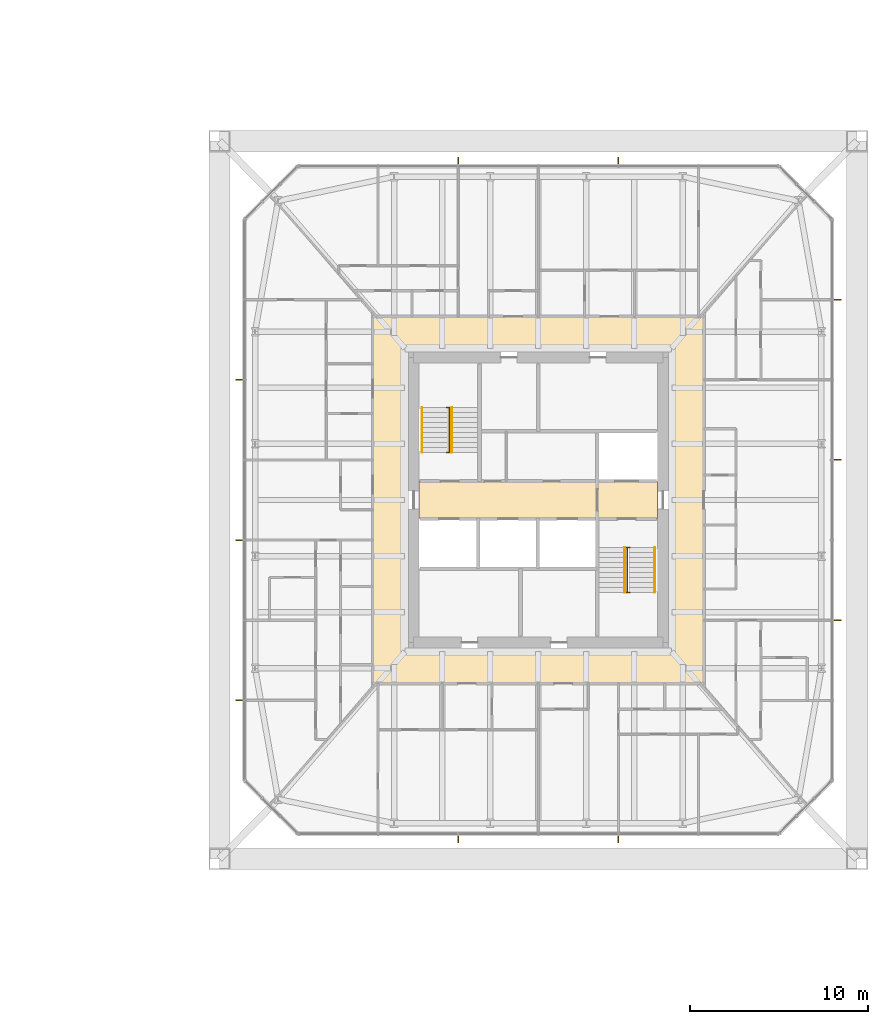
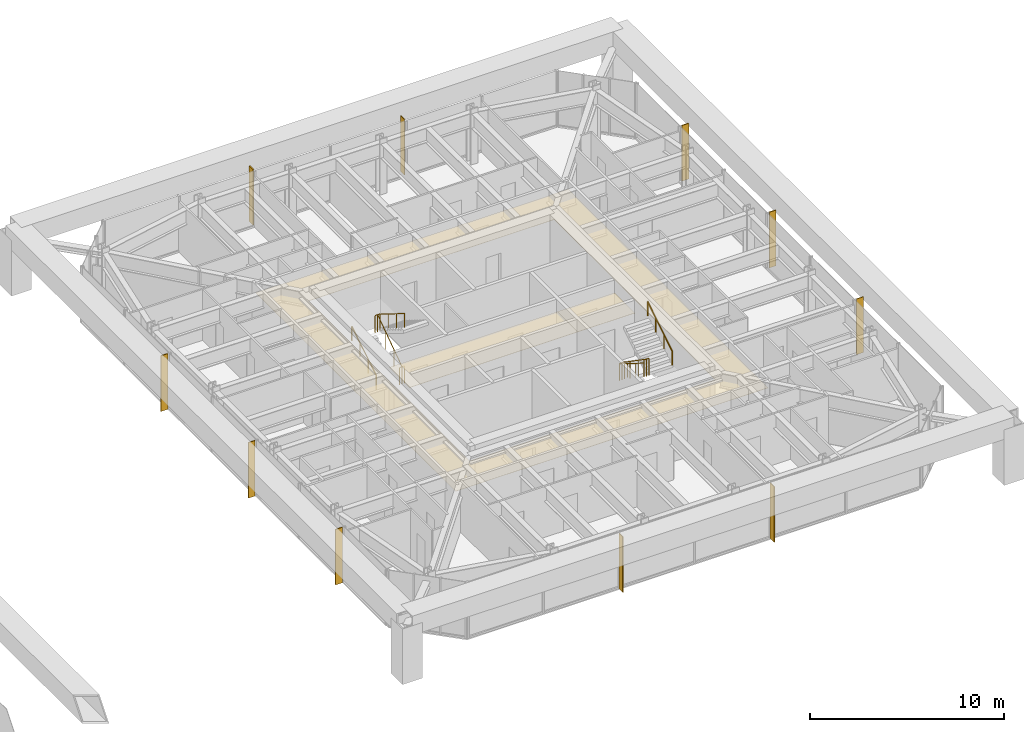
# One storey, part 32 of 32: 10 shading devices, 6 railings, 3 coverings.
"""IFC4 building model written with IfcOpenShell, lengths in metres."""

from ifc_helpers import new_model, si_unit, direction, frame, origin, origin_2d, place, context, subcontext, project, spatial, polyline, rectangle, circle, outline, extrude, material, layer, layer_set, constituent, constituent_set, type_object, element, save


model = new_model("IFC4")

# Units and contexts
model_context = context("Model", 3, precision=1e-05, world=origin(), true_north=direction((0.0, 1.0)))
body_context = subcontext(model_context, "Body", "Model", "MODEL_VIEW")
ifc_project = project(units=[si_unit("LENGTHUNIT", "METRE"), si_unit("AREAUNIT", "SQUARE_METRE"), si_unit("VOLUMEUNIT", "CUBIC_METRE"), si_unit("PLANEANGLEUNIT", "RADIAN"), si_unit("MASSUNIT", "GRAM", prefix="KILO")], contexts=[model_context])

# Site, building, storey
site_placement = place(None, origin())
site = spatial("IfcSite", under=ifc_project, at=site_placement, CompositionType="ELEMENT")
building_placement = place(site_placement, origin())
building = spatial("IfcBuilding", under=site, at=building_placement, Name="Iwan Alto Co-Living Towers", CompositionType="ELEMENT")
storey_placement = place(building_placement, frame((0.0, 0.0, 71.0)))
storey = spatial("IfcBuildingStorey", under=building, at=storey_placement, Name="L19", CompositionType="ELEMENT", Elevation=71.0)

# Coverings
ifc_material_1 = material(Name="Mineral fibre acoustic tiles on steel grid", Category="steel")
ifc_layer_1 = layer(ifc_material_1, 0.02001953125)
ifc_layer_set_1 = layer_set([ifc_layer_1], Name="ACOUSTIC TILE CEILING 20")
covering_type_1 = type_object("IfcCoveringType", Name="ACOUSTIC TILE CEILING 20", PredefinedType="CEILING", material=ifc_layer_set_1)
covering_1_placement = place(storey_placement, frame((0.0, 0.0, 2.60009765625)))
element("IfcCovering", 1, at=covering_1_placement, inside=storey, type_object=covering_type_1, Name="Ceiling Lift lobby L19", PredefinedType="CEILING", context=body_context, shape_type="SweptSolid", body=[
    extrude(outline(polyline([(56.300048828125, -1.050048828125), (56.300048828125, 1.050048828125), (66.300048828125, 1.050048828125), (66.300048828125, -1.050048828125), (56.300048828125, -1.050048828125)])), origin(), (0.0, 0.0, 1.0), 0.02001953125),
])
covering_2_placement = place(storey_placement, frame((0.0, 0.0, 2.60009765625)))
element("IfcCovering", 2, at=covering_2_placement, inside=storey, type_object=covering_type_1, Name="Ceiling Firefighting lobby L19", PredefinedType="CEILING", context=body_context, shape_type="SweptSolid", body=[
    extrude(outline(polyline([(66.300048828125, -1.050048828125), (66.300048828125, 1.050048828125), (69.699951171875, 1.050048828125), (69.699951171875, -1.050048828125), (66.300048828125, -1.050048828125)])), origin(), (0.0, 0.0, 1.0), 0.02001953125),
])

# Shading devices
ifc_material_2 = material(Name="Aluminium 6063-T6 bronze anodised", Category="aluminium")
ifc_layer_2 = layer(ifc_material_2, 0.050048828125)
ifc_layer_set_2 = layer_set([ifc_layer_2], Name="BRONZE FIN 50X400")
shading_device_type = type_object("IfcShadingDeviceType", Name="BRONZE FIN 50X400", PredefinedType="USERDEFINED", material=ifc_layer_set_2)
for number, where, z_axis, x_axis, name in (
    (3, (58.5, -19.050048828125, 0.0), (0.0, 0.0, 1.0), (1.0, 0.0, 0.0), "Bronze fin L19"),
    (4, (67.5, -19.050048828125, 0.0), (0.0, 0.0, 1.0), (1.0, 0.0, 0.0), "Bronze fin L19"),
    (5, (79.800048828125, -6.75, 0.0), (0.0, 0.0, 1.0), (0.0, 1.0, 0.0), "Bronze fin L19"),
    (6, (79.800048828125, 2.25, 0.0), (0.0, 0.0, 1.0), (0.0, 1.0, 0.0), "Bronze fin L19"),
    (7, (79.800048828125, 11.25, 0.0), (0.0, 0.0, 1.0), (0.0, 1.0, 0.0), "Bronze fin L19"),
    (8, (67.5, 19.050048828125, 0.0), (0.0, 0.0, 1.0), (-1.0, 0.0, 0.0), "Bronze fin L19"),
    (9, (58.5, 19.050048828125, 0.0), (0.0, 0.0, 1.0), (-1.0, 0.0, 0.0), "Bronze fin L19"),
    (10, (46.199951171875, 6.75, 0.0), (0.0, 0.0, 1.0), (0.0, -1.0, 0.0), "Bronze fin L19"),
    (11, (46.199951171875, -2.25, 0.0), (0.0, 0.0, 1.0), (0.0, -1.0, 0.0), "Bronze fin L19"),
    (12, (46.199951171875, -11.25, 0.0), (0.0, 0.0, 1.0), (0.0, -1.0, 0.0), "Bronze fin L19"),
):
    element("IfcShadingDevice", number, at=place(storey_placement, frame(where, z_axis=z_axis, x_axis=x_axis)), inside=storey, type_object=shading_device_type, Name=name, ObjectType="LOUVER", PredefinedType="USERDEFINED", context=body_context, shape_type="SweptSolid", body=[
        extrude(rectangle(XDim=0.050048828125, YDim=0.39990234375, at=origin_2d()), origin(), (0.0, 0.0, 1.0), 3.5),
    ])

# Railings
ifc_material_3 = material(Name="Steel ASTM A500 Gr C", Category="steel")
ifc_constituent_1 = constituent(ifc_material_3, Name="Rails and posts", Category="Framing")
ifc_material_4 = material(Name="Steel ASTM A36", Category="steel")
ifc_constituent_2 = constituent(ifc_material_4, Name="Bar infill", Category="Infill")
ifc_constituent_set = constituent_set(constituents=[ifc_constituent_1, ifc_constituent_2], Name="STAIR GUARD 1100")
railing_type_1 = type_object("IfcRailingType", Name="STAIR GUARD 1100", PredefinedType="GUARDRAIL", material=ifc_constituent_set)
railing_1_placement = place(storey_placement, frame((58.0, 2.669921875, 0.0)))
element("IfcRailing", 13, at=railing_1_placement, inside=storey, type_object=railing_type_1, Name="Stair T2-S1 well guard L19", PredefinedType="GUARDRAIL", context=body_context, shape_type="SweptSolid", body=[
    extrude(circle(Radius=0.02392578125, at=origin_2d()), frame((0.0, 0.0, 1.076171875), z_axis=(0.0, 0.821372036852, 0.570392826987), x_axis=(-1.0, 0.0, 0.0)), (0.0, 0.0, 1.0), 3.068115234375),
    extrude(circle(Radius=0.02392578125, at=origin_2d()), frame((-0.14990234375, 0.0, 1.076171875), z_axis=(1.0, 0.0, 0.0), x_axis=(0.0, 1.0, 0.0)), (0.0, 0.0, 1.0), 0.2998046875),
    extrude(circle(Radius=0.02392578125, at=origin_2d()), frame((-0.14990234375, 2.52001953125, 2.826171875), z_axis=(1.0, 0.0, 0.0), x_axis=(0.0, 1.0, 0.0)), (0.0, 0.0, 1.0), 0.2998046875),
    extrude(circle(Radius=0.02099609375, at=origin_2d()), origin(), (0.0, 0.0, 1.0), 1.052001953125),
    extrude(circle(Radius=0.02099609375, at=origin_2d()), frame((0.0, 0.840087890625, 0.583251953125)), (0.0, 0.0, 1.0), 1.052001953125),
    extrude(circle(Radius=0.02099609375, at=origin_2d()), frame((0.0, 1.679931640625, 1.166748046875)), (0.0, 0.0, 1.0), 1.052001953125),
    extrude(circle(Radius=0.02099609375, at=origin_2d()), frame((0.0, 2.52001953125, 1.75)), (0.0, 0.0, 1.0), 1.052001953125),
    extrude(circle(Radius=0.02099609375, at=origin_2d()), frame((-0.14990234375, 0.0, 0.0)), (0.0, 0.0, 1.0), 1.052001953125),
    extrude(circle(Radius=0.02099609375, at=origin_2d()), frame((0.14990234375, 0.0, 0.0)), (0.0, 0.0, 1.0), 1.052001953125),
    extrude(circle(Radius=0.02099609375, at=origin_2d()), frame((-0.14990234375, 2.52001953125, 1.75)), (0.0, 0.0, 1.0), 1.052001953125),
    extrude(circle(Radius=0.02099609375, at=origin_2d()), frame((0.14990234375, 2.52001953125, 1.75)), (0.0, 0.0, 1.0), 1.052001953125),
])
railing_2_placement = place(storey_placement, frame((68.0, -2.669921875, 0.0)))
element("IfcRailing", 14, at=railing_2_placement, inside=storey, type_object=railing_type_1, Name="Stair T2-S2 well guard L19", PredefinedType="GUARDRAIL", context=body_context, shape_type="SweptSolid", body=[
    extrude(circle(Radius=0.02392578125, at=origin_2d()), frame((0.0, 0.0, 1.076171875), z_axis=(0.0, -0.821372036852, 0.570392826987), x_axis=(1.0, 0.0, 0.0)), (0.0, 0.0, 1.0), 3.068115234375),
    extrude(circle(Radius=0.02392578125, at=origin_2d()), frame((-0.14990234375, 0.0, 1.076171875), z_axis=(1.0, 0.0, 0.0), x_axis=(0.0, 1.0, 0.0)), (0.0, 0.0, 1.0), 0.2998046875),
    extrude(circle(Radius=0.02392578125, at=origin_2d()), frame((-0.14990234375, -2.52001953125, 2.826171875), z_axis=(1.0, 0.0, 0.0), x_axis=(0.0, 1.0, 0.0)), (0.0, 0.0, 1.0), 0.2998046875),
    extrude(circle(Radius=0.02099609375, at=origin_2d()), origin(), (0.0, 0.0, 1.0), 1.052001953125),
    extrude(circle(Radius=0.02099609375, at=origin_2d()), frame((0.0, -0.840087890625, 0.583251953125)), (0.0, 0.0, 1.0), 1.052001953125),
    extrude(circle(Radius=0.02099609375, at=origin_2d()), frame((0.0, -1.679931640625, 1.166748046875)), (0.0, 0.0, 1.0), 1.052001953125),
    extrude(circle(Radius=0.02099609375, at=origin_2d()), frame((0.0, -2.52001953125, 1.75)), (0.0, 0.0, 1.0), 1.052001953125),
    extrude(circle(Radius=0.02099609375, at=origin_2d()), frame((-0.14990234375, 0.0, 0.0)), (0.0, 0.0, 1.0), 1.052001953125),
    extrude(circle(Radius=0.02099609375, at=origin_2d()), frame((0.14990234375, 0.0, 0.0)), (0.0, 0.0, 1.0), 1.052001953125),
    extrude(circle(Radius=0.02099609375, at=origin_2d()), frame((-0.14990234375, -2.52001953125, 1.75)), (0.0, 0.0, 1.0), 1.052001953125),
    extrude(circle(Radius=0.02099609375, at=origin_2d()), frame((0.14990234375, -2.52001953125, 1.75)), (0.0, 0.0, 1.0), 1.052001953125),
])
ifc_material_5 = material(Name="Steel ASTM A500 Gr C", Category="steel")
railing_type_2 = type_object("IfcRailingType", Name="STAIR HANDRAIL 900", PredefinedType="HANDRAIL", material=ifc_material_5)
railing_3_placement = place(storey_placement, frame((56.469970703125, 2.669921875, 0.175048828125)))
element("IfcRailing", 15, at=railing_3_placement, inside=storey, type_object=railing_type_2, Name="Stair T2-S1 handrail 1 L19", PredefinedType="HANDRAIL", context=body_context, shape_type="SweptSolid", body=[
    extrude(circle(Radius=0.02392578125, at=origin_2d()), frame((0.0, 0.0, 0.8759765625), z_axis=(0.0, 0.848007534815, 0.529984170421), x_axis=(-1.0, 0.0, 0.0)), (0.0, 0.0, 1.0), 2.9716796875),
    extrude(circle(Radius=0.02099609375, at=origin_2d()), origin(), (0.0, 0.0, 1.0), 0.851806640625),
    extrude(circle(Radius=0.02099609375, at=origin_2d()), frame((0.0, 0.840087890625, 0.52490234375)), (0.0, 0.0, 1.0), 0.851806640625),
    extrude(circle(Radius=0.02099609375, at=origin_2d()), frame((0.0, 1.679931640625, 1.050048828125)), (0.0, 0.0, 1.0), 0.851806640625),
    extrude(circle(Radius=0.02099609375, at=origin_2d()), frame((0.0, 2.52001953125, 1.574951171875)), (0.0, 0.0, 1.0), 0.851806640625),
])
for number, where, name in (
    (16, (58.14990234375, 5.18994140625, 1.925048828125), "Stair T2-S1 handrail 2 L19"),
    (17, (67.85009765625, -2.669921875, 0.175048828125), "Stair T2-S2 handrail 1 L19"),
):
    element("IfcRailing", number, at=place(storey_placement, frame(where)), inside=storey, type_object=railing_type_2, Name=name, PredefinedType="HANDRAIL", context=body_context, shape_type="SweptSolid", body=[
        extrude(circle(Radius=0.02392578125, at=origin_2d()), frame((0.0, 0.0, 0.8759765625), z_axis=(0.0, -0.848007534815, 0.529984170421), x_axis=(1.0, 0.0, 0.0)), (0.0, 0.0, 1.0), 2.9716796875),
        extrude(circle(Radius=0.02099609375, at=origin_2d()), origin(), (0.0, 0.0, 1.0), 0.851806640625),
        extrude(circle(Radius=0.02099609375, at=origin_2d()), frame((0.0, -0.840087890625, 0.52490234375)), (0.0, 0.0, 1.0), 0.851806640625),
        extrude(circle(Radius=0.02099609375, at=origin_2d()), frame((0.0, -1.679931640625, 1.050048828125)), (0.0, 0.0, 1.0), 0.851806640625),
        extrude(circle(Radius=0.02099609375, at=origin_2d()), frame((0.0, -2.52001953125, 1.574951171875)), (0.0, 0.0, 1.0), 0.851806640625),
    ])
railing_4_placement = place(storey_placement, frame((69.530029296875, -5.18994140625, 1.925048828125)))
element("IfcRailing", 18, at=railing_4_placement, inside=storey, type_object=railing_type_2, Name="Stair T2-S2 handrail 2 L19", PredefinedType="HANDRAIL", context=body_context, shape_type="SweptSolid", body=[
    extrude(circle(Radius=0.02392578125, at=origin_2d()), frame((0.0, 0.0, 0.8759765625), z_axis=(0.0, 0.848007534815, 0.529984170421), x_axis=(-1.0, 0.0, 0.0)), (0.0, 0.0, 1.0), 2.9716796875),
    extrude(circle(Radius=0.02099609375, at=origin_2d()), origin(), (0.0, 0.0, 1.0), 0.851806640625),
    extrude(circle(Radius=0.02099609375, at=origin_2d()), frame((0.0, 0.840087890625, 0.52490234375)), (0.0, 0.0, 1.0), 0.851806640625),
    extrude(circle(Radius=0.02099609375, at=origin_2d()), frame((0.0, 1.679931640625, 1.050048828125)), (0.0, 0.0, 1.0), 0.851806640625),
    extrude(circle(Radius=0.02099609375, at=origin_2d()), frame((0.0, 2.52001953125, 1.574951171875)), (0.0, 0.0, 1.0), 0.851806640625),
])

# Covering
ifc_material_6 = material(Name="Gypsum plasterboard on steel grid", Category="steel")
ifc_layer_3 = layer(ifc_material_6, 0.014892578125)
ifc_layer_set_3 = layer_set([ifc_layer_3], Name="SUSPENDED PLASTERBOARD CEILING 15")
covering_type_2 = type_object("IfcCoveringType", Name="SUSPENDED PLASTERBOARD CEILING 15", PredefinedType="CEILING", material=ifc_layer_set_3)
covering_3_placement = place(storey_placement, frame((0.0, 0.0, 2.60009765625)))
element("IfcCovering", 19, at=covering_3_placement, inside=storey, type_object=covering_type_2, Name="Ceiling Corridor L19", PredefinedType="CEILING", context=body_context, shape_type="SweptSolid", body=[
    extrude(outline(polyline([(53.699951171875, 10.300048828125), (72.300048828125, 10.300048828125), (72.300048828125, -10.300048828125), (53.699951171875, -10.300048828125), (53.699951171875, 10.300048828125)]), holes=[polyline([(55.699951171875, 8.300048828125), (55.699951171875, -8.300048828125), (70.300048828125, -8.300048828125), (70.300048828125, 8.300048828125), (55.699951171875, 8.300048828125)])]), origin(), (0.0, 0.0, 1.0), 0.014892578125),
])

save(model, "model.ifc")
